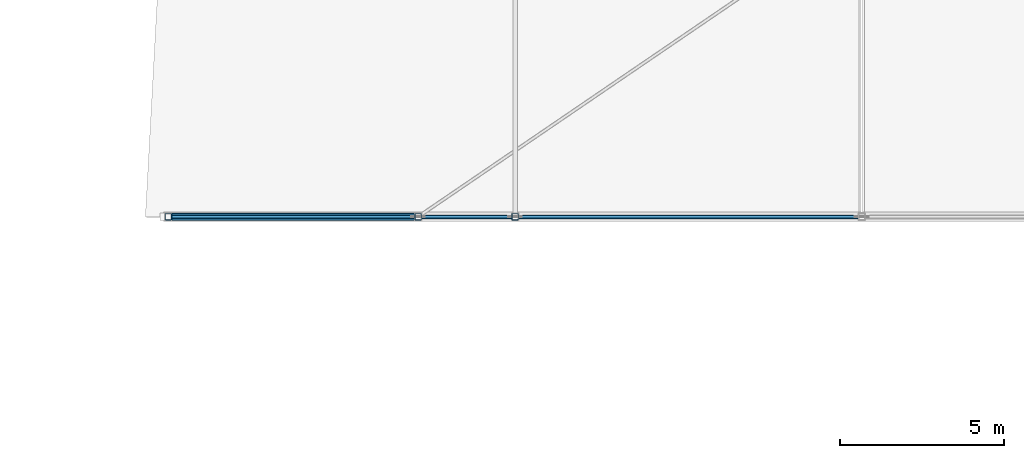
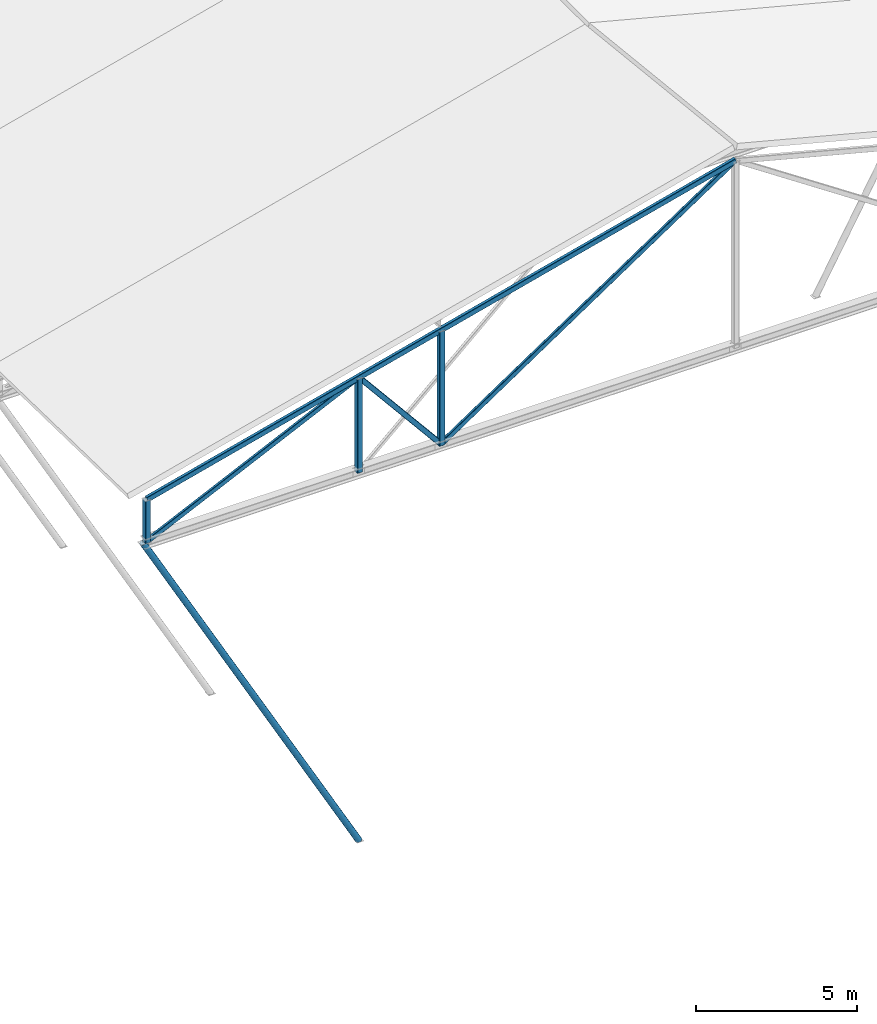
# One storey, part 8 of 56: 8 members.
"""IFC4 building model written with IfcOpenShell, lengths in metres."""

from ifc_helpers import new_model, si_unit, direction, frame, origin, origin_2d, place, context, subcontext, project, spatial, hollow_rectangle, hollow_circle, extrude, material, material_profile, profile_set, type_object, element, save


model = new_model("IFC4")

# Units and contexts
model_context = context("Model", 3, precision=1e-05, world=origin(), true_north=direction((0.0, 1.0)))
body_context = subcontext(model_context, "Body", "Model", "MODEL_VIEW")
ifc_project = project(units=[si_unit("LENGTHUNIT", "METRE"), si_unit("AREAUNIT", "SQUARE_METRE"), si_unit("VOLUMEUNIT", "CUBIC_METRE"), si_unit("PLANEANGLEUNIT", "RADIAN"), si_unit("MASSUNIT", "GRAM", prefix="KILO")], contexts=[model_context])

# Site, building, storey
site_placement = place(None, origin())
site = spatial("IfcSite", under=ifc_project, at=site_placement, CompositionType="ELEMENT")
building_placement = place(site_placement, origin())
building = spatial("IfcBuilding", under=site, at=building_placement, Name="Bozkorgan Art Gallery", CompositionType="ELEMENT")
storey_placement = place(building_placement, frame((0.0, 0.0, 24.0)))
storey = spatial("IfcBuildingStorey", under=building, at=storey_placement, Name="L05", CompositionType="ELEMENT", Elevation=24.0)

# Members
ifc_material = material(Name="Steel S355J2", Category="steel")
ifc_material_profile_1 = material_profile(ifc_material, hollow_circle(Radius=0.109619140625, WallThickness=0.010009765625, at=origin_2d()), Name="CHS 219.1x10")
ifc_profile_set_1 = profile_set([ifc_material_profile_1], Name="Steel S355J2")
member_type_1 = type_object("IfcMemberType", Name="MEMBER-ES-44", PredefinedType="BRACE", material=ifc_profile_set_1)
member_1_placement = place(storey_placement, frame((74.0, 47.60009765625, -13.800048828125), z_axis=(-0.484367254786, 0.0, 0.874864768116), x_axis=(0.0, -1.0, 0.0)))
element("IfcMember", 1, at=member_1_placement, inside=storey, type_object=member_type_1, Name="ROOF-V4-MAIN west swept-eave diagonal tree-strut 1", PredefinedType="BRACE", context=body_context, shape_type="SweptSolid", body=[
    extrude(hollow_circle(Radius=0.109619140625, WallThickness=0.010009765625, at=origin_2d()), origin(), (0.0, 0.0, 1.0), 15.9794921875),
])
ifc_material_profile_2 = material_profile(ifc_material, hollow_rectangle(XDim=0.1201171875, YDim=0.199951171875, WallThickness=0.008056640625, InnerFilletRadius=0.011962890625, OuterFilletRadius=0.02001953125, at=origin_2d()), Name="RHS 200x120x8")
ifc_profile_set_2 = profile_set([ifc_material_profile_2], Name="Steel S355J2")
member_type_2 = type_object("IfcMemberType", Name="MEMBER-TC-48", PredefinedType="CHORD", material=ifc_profile_set_2)
member_2_placement = place(storey_placement, frame((66.39990234375, 47.60009765625, 1.7802734375), z_axis=(0.968148409779, 0.0, 0.250377028984), x_axis=(0.0, 1.0, 0.0)))
element("IfcMember", 2, at=member_2_placement, inside=storey, type_object=member_type_2, Name="ROOF-V4-MAIN roof truss 1 west top chord", PredefinedType="CHORD", context=body_context, shape_type="SweptSolid", body=[
    extrude(hollow_rectangle(XDim=0.1201171875, YDim=0.199951171875, WallThickness=0.008056640625, InnerFilletRadius=0.011962890625, OuterFilletRadius=0.02001953125, at=origin_2d()), origin(), (0.0, 0.0, 1.0), 21.794189453125),
])
ifc_material_profile_3 = material_profile(ifc_material, hollow_rectangle(XDim=0.199951171875, YDim=0.199951171875, WallThickness=0.010009765625, InnerFilletRadius=0.014892578125, OuterFilletRadius=0.02490234375, at=origin_2d()), Name="SHS 200x200x10")
ifc_profile_set_3 = profile_set([ifc_material_profile_3], Name="Steel S355J2")
member_type_3 = type_object("IfcMemberType", Name="MEMBER-TP-32", PredefinedType="POST", material=ifc_profile_set_3)
member_3_placement = place(storey_placement, frame((66.39990234375, 47.60009765625, 0.179931640625), z_axis=(0.0, 0.0, 1.0), x_axis=(1.0, 0.0, 0.0)))
element("IfcMember", 3, at=member_3_placement, inside=storey, type_object=member_type_3, Name="ROOF-V4-MAIN roof truss 1 post 0", PredefinedType="POST", context=body_context, shape_type="SweptSolid", body=[
    extrude(hollow_rectangle(XDim=0.199951171875, YDim=0.199951171875, WallThickness=0.010009765625, InnerFilletRadius=0.014892578125, OuterFilletRadius=0.02490234375, at=origin_2d()), origin(), (0.0, 0.0, 1.0), 1.600341796875),
])
member_4_placement = place(storey_placement, frame((74.0, 47.60009765625, 0.179931640625), z_axis=(0.0, 0.0, 1.0), x_axis=(1.0, 0.0, 0.0)))
element("IfcMember", 4, at=member_4_placement, inside=storey, type_object=member_type_3, Name="ROOF-V4-MAIN roof truss 1 post 1", PredefinedType="POST", context=body_context, shape_type="SweptSolid", body=[
    extrude(hollow_rectangle(XDim=0.199951171875, YDim=0.199951171875, WallThickness=0.010009765625, InnerFilletRadius=0.014892578125, OuterFilletRadius=0.02490234375, at=origin_2d()), origin(), (0.0, 0.0, 1.0), 3.565673828125),
])
member_5_placement = place(storey_placement, frame((76.949951171875, 47.60009765625, 0.179931640625), z_axis=(0.0, 0.0, 1.0), x_axis=(1.0, 0.0, 0.0)))
element("IfcMember", 5, at=member_5_placement, inside=storey, type_object=member_type_3, Name="ROOF-V4-MAIN roof truss 1 post 2", PredefinedType="POST", context=body_context, shape_type="SweptSolid", body=[
    extrude(hollow_rectangle(XDim=0.199951171875, YDim=0.199951171875, WallThickness=0.010009765625, InnerFilletRadius=0.014892578125, OuterFilletRadius=0.02490234375, at=origin_2d()), origin(), (0.0, 0.0, 1.0), 4.32861328125),
])
ifc_material_profile_4 = material_profile(ifc_material, hollow_rectangle(XDim=0.10009765625, YDim=0.179931640625, WallThickness=0.008056640625, InnerFilletRadius=0.011962890625, OuterFilletRadius=0.02001953125, at=origin_2d()), Name="RHS 180x100x8")
ifc_profile_set_4 = profile_set([ifc_material_profile_4], Name="Steel S355J2")
member_type_4 = type_object("IfcMemberType", Name="MEMBER-TW-22", PredefinedType="BRACE", material=ifc_profile_set_4)
member_6_placement = place(storey_placement, frame((66.39990234375, 47.60009765625, 0.179931640625), z_axis=(0.90531568753, 0.0, 0.424739338785), x_axis=(0.0, 1.0, 0.0)))
element("IfcMember", 6, at=member_6_placement, inside=storey, type_object=member_type_4, Name="ROOF-V4-MAIN roof truss 1 diagonal 1", PredefinedType="BRACE", context=body_context, shape_type="SweptSolid", body=[
    extrude(hollow_rectangle(XDim=0.10009765625, YDim=0.179931640625, WallThickness=0.008056640625, InnerFilletRadius=0.011962890625, OuterFilletRadius=0.02001953125, at=origin_2d()), origin(), (0.0, 0.0, 1.0), 8.39501953125),
])
member_7_placement = place(storey_placement, frame((74.0, 47.60009765625, 3.74560546875), z_axis=(0.637445701774, 0.0, -0.770495280511), x_axis=(0.0, 1.0, 0.0)))
element("IfcMember", 7, at=member_7_placement, inside=storey, type_object=member_type_4, Name="ROOF-V4-MAIN roof truss 1 diagonal 2", PredefinedType="BRACE", context=body_context, shape_type="SweptSolid", body=[
    extrude(hollow_rectangle(XDim=0.10009765625, YDim=0.179931640625, WallThickness=0.008056640625, InnerFilletRadius=0.011962890625, OuterFilletRadius=0.02001953125, at=origin_2d()), origin(), (0.0, 0.0, 1.0), 4.627685546875),
])
member_8_placement = place(storey_placement, frame((76.949951171875, 47.60009765625, 0.179931640625), z_axis=(0.831185206962, 0.0, 0.555995640026), x_axis=(0.0, 1.0, 0.0)))
element("IfcMember", 8, at=member_8_placement, inside=storey, type_object=member_type_4, Name="ROOF-V4-MAIN roof truss 1 diagonal 3", PredefinedType="BRACE", context=body_context, shape_type="SweptSolid", body=[
    extrude(hollow_rectangle(XDim=0.10009765625, YDim=0.179931640625, WallThickness=0.008056640625, InnerFilletRadius=0.011962890625, OuterFilletRadius=0.02001953125, at=origin_2d()), origin(), (0.0, 0.0, 1.0), 12.69287109375),
])

save(model, "model.ifc")
